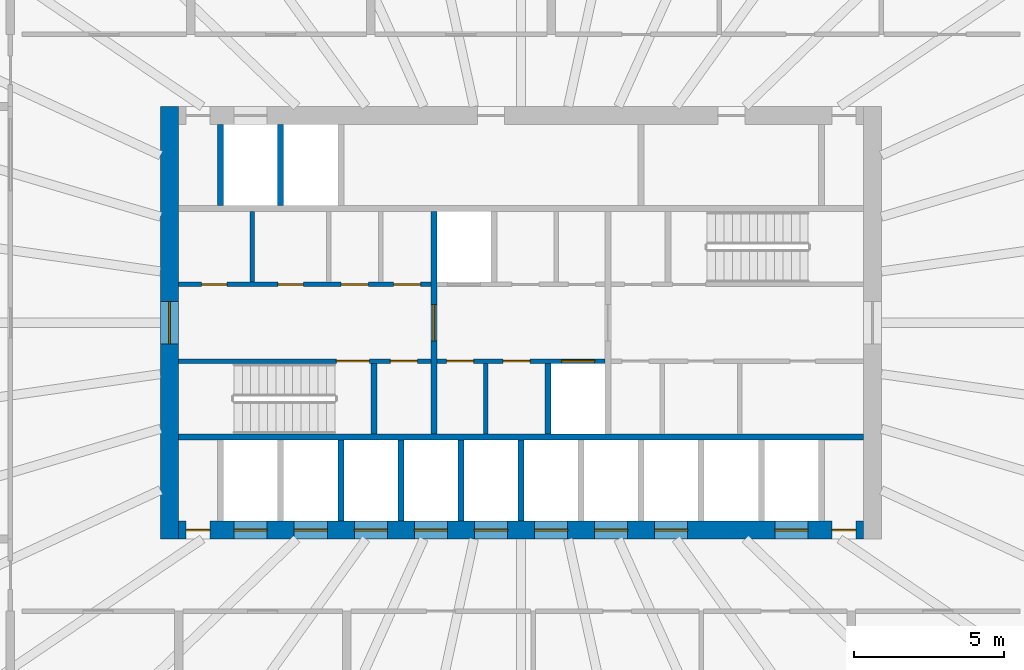
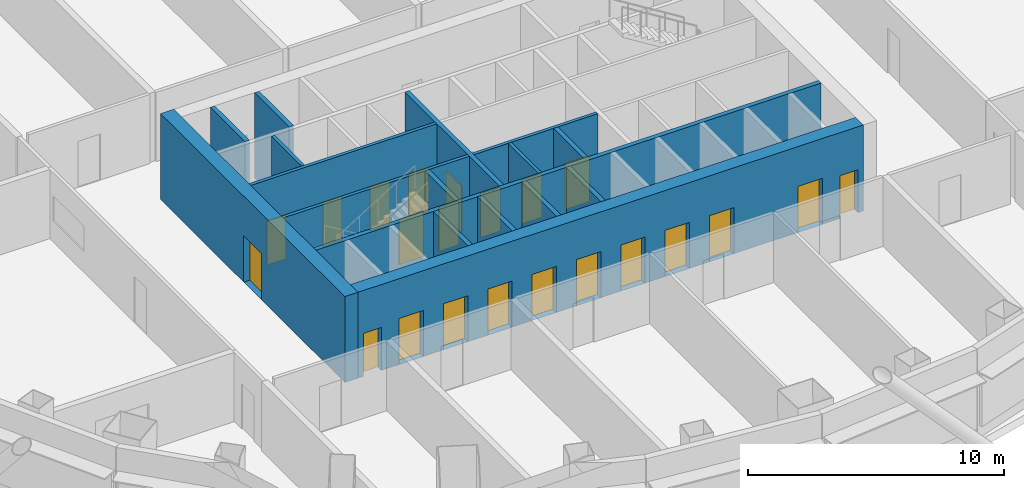
# One storey, part 4 of 14: 22 doors, 17 walls, 22 openings.
"""IFC4 building model written with IfcOpenShell, lengths in metres."""

from ifc_helpers import new_model, si_unit, direction, frame, frame_2d, origin, place, context, subcontext, project, spatial, rectangle, extrude, material, layer, layer_set, type_object, element, fill, save


model = new_model("IFC4")

# Units and contexts
model_context = context("Model", 3, precision=1e-05, world=origin(), true_north=direction((0.0, 1.0)))
body_context = subcontext(model_context, "Body", "Model", "MODEL_VIEW")
ifc_project = project(units=[si_unit("LENGTHUNIT", "METRE"), si_unit("AREAUNIT", "SQUARE_METRE"), si_unit("VOLUMEUNIT", "CUBIC_METRE"), si_unit("PLANEANGLEUNIT", "RADIAN"), si_unit("MASSUNIT", "GRAM", prefix="KILO")], contexts=[model_context])

# Site, building, storey
site_placement = place(None, origin())
site = spatial("IfcSite", under=ifc_project, at=site_placement, CompositionType="ELEMENT")
building_placement = place(site_placement, origin())
building = spatial("IfcBuilding", under=site, at=building_placement, Name="Siaravel Broadcast Tower", CompositionType="ELEMENT")
storey_placement = place(building_placement, frame((0.0, 0.0, 20.0)))
storey = spatial("IfcBuildingStorey", under=building, at=storey_placement, Name="L03", CompositionType="ELEMENT", Elevation=20.0)

# Walls
ifc_material_1 = material(Name="Concrete blockwork", Category="masonry")
ifc_layer_1 = layer(ifc_material_1, 0.14990234375)
ifc_layer_set_1 = layer_set([ifc_layer_1], Name="Concrete blockwork")
wall_type_1 = type_object("IfcWallType", Name="Core partition 150", PredefinedType="PARTITIONING", material=ifc_layer_set_1)
for number, where, z_axis, x_axis, name in (
    (1, (-8.93994140625, 1.35009765625, 0.0), (0.0, 0.0, 1.0), (0.0, 1.0, 0.0), "L03 core partition PNW0"),
    (2, (-1.172607421875, -3.699951171875, 0.0), (0.0, 0.0, 1.0), (0.0, 1.0, 0.0), "L03 core partition PSM0"),
):
    element("IfcWall", number, at=place(storey_placement, frame(where, z_axis=z_axis, x_axis=x_axis)), inside=storey, type_object=wall_type_1, Name=name, PredefinedType="PARTITIONING", context=body_context, shape_type="SweptSolid", body=[
        extrude(rectangle(XDim=2.349853515625, YDim=0.14990234375, at=frame_2d((1.1748046875, 0.0))), origin(), (0.0, 0.0, 1.0), 4.10009765625),
    ])

# Wall, opening, door
ifc_material_2 = material(Name="Concrete C60/75", Category="concrete")
ifc_layer_2 = layer(ifc_material_2, 0.60009765625)
ifc_layer_set_2 = layer_set([ifc_layer_2], Name="Concrete C60/75")
wall_type_2 = type_object("IfcWallType", Name="Core wall 600", PredefinedType="SHEAR", material=ifc_layer_set_2)
wall_1_placement = place(storey_placement, frame((-11.699951171875, -7.199951171875, 0.0), z_axis=(0.0, 0.0, 1.0), x_axis=(0.0, 1.0, 0.0)))
wall_1 = element("IfcWall", 3, at=wall_1_placement, inside=storey, type_object=wall_type_2, Name="L03 core wall OW", PredefinedType="SHEAR", context=body_context, shape_type="SweptSolid", body=[
    extrude(rectangle(XDim=14.39990234375, YDim=0.60009765625, at=frame_2d((7.199951171875, 0.0))), origin(), (0.0, 0.0, 1.0), 4.10009765625),
])
opening_1_placement = place(wall_1_placement, frame((6.5, 0.0, 0.0)))
opening_1 = element("IfcOpeningElement", 4, at=opening_1_placement, cuts=wall_1, Name="Opening L03-DX-W", PredefinedType="OPENING", context=body_context, shape_type="SweptSolid", body=[
    extrude(rectangle(XDim=1.39990234375, YDim=2.199951171875, at=frame_2d((0.699951171875, 1.10009765625))), frame((0.0, 0.31005859375, 0.0), z_axis=(0.0, -1.0, 0.0), x_axis=(1.0, 0.0, 0.0)), (0.0, 0.0, 1.0), 0.6201171875),
])
ifc_material_3 = material(Name="Steel", Category="steel")
door_type_1 = type_object("IfcDoorType", Name="Core exit door 1400", OperationType="DOUBLE_DOOR_SINGLE_SWING", PredefinedType="DOOR", material=ifc_material_3)
door_1_placement = place(opening_1_placement, origin())
door_1 = element("IfcDoor", 5, at=door_1_placement, inside=storey, type_object=door_type_1, Name="L03 door DX-W", OperationType="DOUBLE_DOOR_SINGLE_SWING", OverallHeight=2.199951171875, OverallWidth=1.39990234375, PredefinedType="DOOR", context=body_context, shape_type="SweptSolid", body=[
    extrude(rectangle(XDim=1.39990234375, YDim=2.199951171875, at=frame_2d((0.699951171875, 1.10009765625))), frame((0.0, 0.02490234375, 0.0), z_axis=(0.0, -1.0, 0.0), x_axis=(1.0, 0.0, 0.0)), (0.0, 0.0, 1.0), 0.050048828125),
])
fill(opening_1, door_1)

# Wall, openings, doors
wall_2_placement = place(storey_placement, frame((-11.39990234375, -6.89990234375, 0.0), z_axis=(0.0, 0.0, 1.0), x_axis=(1.0, 0.0, 0.0)))
wall_2 = element("IfcWall", 6, at=wall_2_placement, inside=storey, type_object=wall_type_2, Name="L03 core wall OS", PredefinedType="SHEAR", context=body_context, shape_type="SweptSolid", body=[
    extrude(rectangle(XDim=22.7998046875, YDim=0.60009765625, at=frame_2d((11.39990234375, 0.0))), origin(), (0.0, 0.0, 1.0), 4.10009765625),
])
opening_2_placement = place(wall_2_placement, frame((1.85009765625, 0.0, 0.0)))
opening_2 = element("IfcOpeningElement", 7, at=opening_2_placement, cuts=wall_2, Name="Opening LD-LP1-L03", PredefinedType="OPENING", context=body_context, shape_type="SweptSolid", body=[
    extrude(rectangle(XDim=1.10009765625, YDim=2.199951171875, at=frame_2d((0.550048828125, 1.10009765625))), frame((0.0, 0.31005859375, 0.0), z_axis=(0.0, -1.0, 0.0), x_axis=(1.0, 0.0, 0.0)), (0.0, 0.0, 1.0), 0.6201171875),
])
opening_3_placement = place(wall_2_placement, frame((3.85009765625, 0.0, 0.0)))
opening_3 = element("IfcOpeningElement", 8, at=opening_3_placement, cuts=wall_2, Name="Opening LD-LP2-L03", PredefinedType="OPENING", context=body_context, shape_type="SweptSolid", body=[
    extrude(rectangle(XDim=1.10009765625, YDim=2.199951171875, at=frame_2d((0.550048828125, 1.10009765625))), frame((0.0, 0.31005859375, 0.0), z_axis=(0.0, -1.0, 0.0), x_axis=(1.0, 0.0, 0.0)), (0.0, 0.0, 1.0), 0.6201171875),
])
opening_4_placement = place(wall_2_placement, frame((5.85009765625, 0.0, 0.0)))
opening_4 = element("IfcOpeningElement", 9, at=opening_4_placement, cuts=wall_2, Name="Opening LD-LP3-L03", PredefinedType="OPENING", context=body_context, shape_type="SweptSolid", body=[
    extrude(rectangle(XDim=1.10009765625, YDim=2.199951171875, at=frame_2d((0.550048828125, 1.10009765625))), frame((0.0, 0.31005859375, 0.0), z_axis=(0.0, -1.0, 0.0), x_axis=(1.0, 0.0, 0.0)), (0.0, 0.0, 1.0), 0.6201171875),
])
opening_5_placement = place(wall_2_placement, frame((7.85009765625, 0.0, 0.0)))
opening_5 = element("IfcOpeningElement", 10, at=opening_5_placement, cuts=wall_2, Name="Opening LD-LP4-L03", PredefinedType="OPENING", context=body_context, shape_type="SweptSolid", body=[
    extrude(rectangle(XDim=1.10009765625, YDim=2.199951171875, at=frame_2d((0.550048828125, 1.10009765625))), frame((0.0, 0.31005859375, 0.0), z_axis=(0.0, -1.0, 0.0), x_axis=(1.0, 0.0, 0.0)), (0.0, 0.0, 1.0), 0.6201171875),
])
opening_6_placement = place(wall_2_placement, frame((9.85009765625, 0.0, 0.0)))
opening_6 = element("IfcOpeningElement", 11, at=opening_6_placement, cuts=wall_2, Name="Opening LD-LP5-L03", PredefinedType="OPENING", context=body_context, shape_type="SweptSolid", body=[
    extrude(rectangle(XDim=1.10009765625, YDim=2.199951171875, at=frame_2d((0.550048828125, 1.10009765625))), frame((0.0, 0.31005859375, 0.0), z_axis=(0.0, -1.0, 0.0), x_axis=(1.0, 0.0, 0.0)), (0.0, 0.0, 1.0), 0.6201171875),
])
opening_7_placement = place(wall_2_placement, frame((11.85009765625, 0.0, 0.0)))
opening_7 = element("IfcOpeningElement", 12, at=opening_7_placement, cuts=wall_2, Name="Opening LD-LP6-L03", PredefinedType="OPENING", context=body_context, shape_type="SweptSolid", body=[
    extrude(rectangle(XDim=1.10009765625, YDim=2.199951171875, at=frame_2d((0.550048828125, 1.10009765625))), frame((0.0, 0.31005859375, 0.0), z_axis=(0.0, -1.0, 0.0), x_axis=(1.0, 0.0, 0.0)), (0.0, 0.0, 1.0), 0.6201171875),
])
opening_8_placement = place(wall_2_placement, frame((13.85009765625, 0.0, 0.0)))
opening_8 = element("IfcOpeningElement", 13, at=opening_8_placement, cuts=wall_2, Name="Opening LD-LP7-L03", PredefinedType="OPENING", context=body_context, shape_type="SweptSolid", body=[
    extrude(rectangle(XDim=1.10009765625, YDim=2.199951171875, at=frame_2d((0.550048828125, 1.10009765625))), frame((0.0, 0.31005859375, 0.0), z_axis=(0.0, -1.0, 0.0), x_axis=(1.0, 0.0, 0.0)), (0.0, 0.0, 1.0), 0.6201171875),
])
opening_9_placement = place(wall_2_placement, frame((15.85009765625, 0.0, 0.0)))
opening_9 = element("IfcOpeningElement", 14, at=opening_9_placement, cuts=wall_2, Name="Opening LD-LP8-L03", PredefinedType="OPENING", context=body_context, shape_type="SweptSolid", body=[
    extrude(rectangle(XDim=1.10009765625, YDim=2.199951171875, at=frame_2d((0.550048828125, 1.10009765625))), frame((0.0, 0.31005859375, 0.0), z_axis=(0.0, -1.0, 0.0), x_axis=(1.0, 0.0, 0.0)), (0.0, 0.0, 1.0), 0.6201171875),
])
opening_10_placement = place(wall_2_placement, frame((19.85009765625, 0.0, 0.0)))
opening_10 = element("IfcOpeningElement", 15, at=opening_10_placement, cuts=wall_2, Name="Opening LD-SV1-L03", PredefinedType="OPENING", context=body_context, shape_type="SweptSolid", body=[
    extrude(rectangle(XDim=1.10009765625, YDim=2.199951171875, at=frame_2d((0.550048828125, 1.10009765625))), frame((0.0, 0.31005859375, 0.0), z_axis=(0.0, -1.0, 0.0), x_axis=(1.0, 0.0, 0.0)), (0.0, 0.0, 1.0), 0.6201171875),
])
opening_11_placement = place(wall_2_placement, frame((0.25, 0.0, 0.0)))
opening_11 = element("IfcOpeningElement", 16, at=opening_11_placement, cuts=wall_2, Name="Opening L03-DRSW", PredefinedType="OPENING", context=body_context, shape_type="SweptSolid", body=[
    extrude(rectangle(XDim=0.800048828125, YDim=2.050048828125, at=frame_2d((0.39990234375, 1.02490234375))), frame((0.0, 0.31005859375, 0.0), z_axis=(0.0, -1.0, 0.0), x_axis=(1.0, 0.0, 0.0)), (0.0, 0.0, 1.0), 0.6201171875),
])
opening_12_placement = place(wall_2_placement, frame((21.75, 0.0, 0.0)))
opening_12 = element("IfcOpeningElement", 17, at=opening_12_placement, cuts=wall_2, Name="Opening L03-DRSE", PredefinedType="OPENING", context=body_context, shape_type="SweptSolid", body=[
    extrude(rectangle(XDim=0.800048828125, YDim=2.050048828125, at=frame_2d((0.39990234375, 1.02490234375))), frame((0.0, 0.31005859375, 0.0), z_axis=(0.0, -1.0, 0.0), x_axis=(1.0, 0.0, 0.0)), (0.0, 0.0, 1.0), 0.6201171875),
])
ifc_material_4 = material(Name="Stainless steel 316L", Category="steel")
door_type_2 = type_object("IfcDoorType", Name="Lift landing door 1100", OperationType="DOUBLE_DOOR_SLIDING", PredefinedType="DOOR", material=ifc_material_4)
door_2_placement = place(opening_2_placement, origin())
door_2 = element("IfcDoor", 18, at=door_2_placement, inside=storey, type_object=door_type_2, Name="Landing door LP1 L03", OperationType="DOUBLE_DOOR_SLIDING", OverallHeight=2.199951171875, OverallWidth=1.10009765625, PredefinedType="DOOR", context=body_context, shape_type="SweptSolid", body=[
    extrude(rectangle(XDim=1.10009765625, YDim=2.199951171875, at=frame_2d((0.550048828125, 1.10009765625))), frame((0.0, 0.02490234375, 0.0), z_axis=(0.0, -1.0, 0.0), x_axis=(1.0, 0.0, 0.0)), (0.0, 0.0, 1.0), 0.050048828125),
])
fill(opening_2, door_2)
door_3_placement = place(opening_3_placement, origin())
door_3 = element("IfcDoor", 19, at=door_3_placement, inside=storey, type_object=door_type_2, Name="Landing door LP2 L03", OperationType="DOUBLE_DOOR_SLIDING", OverallHeight=2.199951171875, OverallWidth=1.10009765625, PredefinedType="DOOR", context=body_context, shape_type="SweptSolid", body=[
    extrude(rectangle(XDim=1.10009765625, YDim=2.199951171875, at=frame_2d((0.550048828125, 1.10009765625))), frame((0.0, 0.02490234375, 0.0), z_axis=(0.0, -1.0, 0.0), x_axis=(1.0, 0.0, 0.0)), (0.0, 0.0, 1.0), 0.050048828125),
])
fill(opening_3, door_3)
door_4_placement = place(opening_4_placement, origin())
door_4 = element("IfcDoor", 20, at=door_4_placement, inside=storey, type_object=door_type_2, Name="Landing door LP3 L03", OperationType="DOUBLE_DOOR_SLIDING", OverallHeight=2.199951171875, OverallWidth=1.10009765625, PredefinedType="DOOR", context=body_context, shape_type="SweptSolid", body=[
    extrude(rectangle(XDim=1.10009765625, YDim=2.199951171875, at=frame_2d((0.550048828125, 1.10009765625))), frame((0.0, 0.02490234375, 0.0), z_axis=(0.0, -1.0, 0.0), x_axis=(1.0, 0.0, 0.0)), (0.0, 0.0, 1.0), 0.050048828125),
])
fill(opening_4, door_4)
door_5_placement = place(opening_5_placement, origin())
door_5 = element("IfcDoor", 21, at=door_5_placement, inside=storey, type_object=door_type_2, Name="Landing door LP4 L03", OperationType="DOUBLE_DOOR_SLIDING", OverallHeight=2.199951171875, OverallWidth=1.10009765625, PredefinedType="DOOR", context=body_context, shape_type="SweptSolid", body=[
    extrude(rectangle(XDim=1.10009765625, YDim=2.199951171875, at=frame_2d((0.550048828125, 1.10009765625))), frame((0.0, 0.02490234375, 0.0), z_axis=(0.0, -1.0, 0.0), x_axis=(1.0, 0.0, 0.0)), (0.0, 0.0, 1.0), 0.050048828125),
])
fill(opening_5, door_5)
door_6_placement = place(opening_6_placement, origin())
door_6 = element("IfcDoor", 22, at=door_6_placement, inside=storey, type_object=door_type_2, Name="Landing door LP5 L03", OperationType="DOUBLE_DOOR_SLIDING", OverallHeight=2.199951171875, OverallWidth=1.10009765625, PredefinedType="DOOR", context=body_context, shape_type="SweptSolid", body=[
    extrude(rectangle(XDim=1.10009765625, YDim=2.199951171875, at=frame_2d((0.550048828125, 1.10009765625))), frame((0.0, 0.02490234375, 0.0), z_axis=(0.0, -1.0, 0.0), x_axis=(1.0, 0.0, 0.0)), (0.0, 0.0, 1.0), 0.050048828125),
])
fill(opening_6, door_6)
door_7_placement = place(opening_7_placement, origin())
door_7 = element("IfcDoor", 23, at=door_7_placement, inside=storey, type_object=door_type_2, Name="Landing door LP6 L03", OperationType="DOUBLE_DOOR_SLIDING", OverallHeight=2.199951171875, OverallWidth=1.10009765625, PredefinedType="DOOR", context=body_context, shape_type="SweptSolid", body=[
    extrude(rectangle(XDim=1.10009765625, YDim=2.199951171875, at=frame_2d((0.550048828125, 1.10009765625))), frame((0.0, 0.02490234375, 0.0), z_axis=(0.0, -1.0, 0.0), x_axis=(1.0, 0.0, 0.0)), (0.0, 0.0, 1.0), 0.050048828125),
])
fill(opening_7, door_7)
door_8_placement = place(opening_8_placement, origin())
door_8 = element("IfcDoor", 24, at=door_8_placement, inside=storey, type_object=door_type_2, Name="Landing door LP7 L03", OperationType="DOUBLE_DOOR_SLIDING", OverallHeight=2.199951171875, OverallWidth=1.10009765625, PredefinedType="DOOR", context=body_context, shape_type="SweptSolid", body=[
    extrude(rectangle(XDim=1.10009765625, YDim=2.199951171875, at=frame_2d((0.550048828125, 1.10009765625))), frame((0.0, 0.02490234375, 0.0), z_axis=(0.0, -1.0, 0.0), x_axis=(1.0, 0.0, 0.0)), (0.0, 0.0, 1.0), 0.050048828125),
])
fill(opening_8, door_8)
door_9_placement = place(opening_9_placement, origin())
door_9 = element("IfcDoor", 25, at=door_9_placement, inside=storey, type_object=door_type_2, Name="Landing door LP8 L03", OperationType="DOUBLE_DOOR_SLIDING", OverallHeight=2.199951171875, OverallWidth=1.10009765625, PredefinedType="DOOR", context=body_context, shape_type="SweptSolid", body=[
    extrude(rectangle(XDim=1.10009765625, YDim=2.199951171875, at=frame_2d((0.550048828125, 1.10009765625))), frame((0.0, 0.02490234375, 0.0), z_axis=(0.0, -1.0, 0.0), x_axis=(1.0, 0.0, 0.0)), (0.0, 0.0, 1.0), 0.050048828125),
])
fill(opening_9, door_9)
door_type_3 = type_object("IfcDoorType", Name="Riser door 800", OperationType="SINGLE_SWING_LEFT", PredefinedType="DOOR", material=ifc_material_3)
door_10_placement = place(opening_11_placement, origin())
door_10 = element("IfcDoor", 26, at=door_10_placement, inside=storey, type_object=door_type_3, Name="L03 door DRSW", OperationType="SINGLE_SWING_LEFT", OverallHeight=2.050048828125, OverallWidth=0.800048828125, PredefinedType="DOOR", context=body_context, shape_type="SweptSolid", body=[
    extrude(rectangle(XDim=0.800048828125, YDim=2.050048828125, at=frame_2d((0.39990234375, 1.02490234375))), frame((0.0, 0.02490234375, 0.0), z_axis=(0.0, -1.0, 0.0), x_axis=(1.0, 0.0, 0.0)), (0.0, 0.0, 1.0), 0.050048828125),
])
fill(opening_11, door_10)
door_11_placement = place(opening_12_placement, origin())
door_11 = element("IfcDoor", 27, at=door_11_placement, inside=storey, type_object=door_type_3, Name="L03 door DRSE", OperationType="SINGLE_SWING_LEFT", OverallHeight=2.050048828125, OverallWidth=0.800048828125, PredefinedType="DOOR", context=body_context, shape_type="SweptSolid", body=[
    extrude(rectangle(XDim=0.800048828125, YDim=2.050048828125, at=frame_2d((0.39990234375, 1.02490234375))), frame((0.0, 0.02490234375, 0.0), z_axis=(0.0, -1.0, 0.0), x_axis=(1.0, 0.0, 0.0)), (0.0, 0.0, 1.0), 0.050048828125),
])
fill(opening_12, door_11)
door_type_4 = type_object("IfcDoorType", Name="Service lift landing door 1100", OperationType="DOUBLE_DOOR_SLIDING", PredefinedType="DOOR", material=ifc_material_4)
door_12_placement = place(opening_10_placement, origin())
door_12 = element("IfcDoor", 28, at=door_12_placement, inside=storey, type_object=door_type_4, Name="Landing door SV1 L03", OperationType="DOUBLE_DOOR_SLIDING", OverallHeight=2.199951171875, OverallWidth=1.10009765625, PredefinedType="DOOR", context=body_context, shape_type="SweptSolid", body=[
    extrude(rectangle(XDim=1.10009765625, YDim=2.199951171875, at=frame_2d((0.550048828125, 1.10009765625))), frame((0.0, 0.02490234375, 0.0), z_axis=(0.0, -1.0, 0.0), x_axis=(1.0, 0.0, 0.0)), (0.0, 0.0, 1.0), 0.050048828125),
])
fill(opening_10, door_12)

ifc_material_5 = material(Name="Gypsum board partition", Category="gypsum")
ifc_layer_3 = layer(ifc_material_5, 0.14990234375)
ifc_layer_set_3 = layer_set([ifc_layer_3], Name="Gypsum board partition")
wall_type_3 = type_object("IfcWallType", Name="Corridor wall 150", PredefinedType="PARTITIONING", material=ifc_layer_set_3)
wall_3_placement = place(storey_placement, frame((-11.39990234375, 1.27490234375, 0.0), z_axis=(0.0, 0.0, 1.0), x_axis=(1.0, 0.0, 0.0)))
wall_3 = element("IfcWall", 29, at=wall_3_placement, inside=storey, type_object=wall_type_3, Name="L03 core partition CNW", PredefinedType="PARTITIONING", context=body_context, shape_type="SweptSolid", body=[
    extrude(rectangle(XDim=8.39990234375, YDim=0.14990234375, at=frame_2d((4.199951171875, 0.0))), origin(), (0.0, 0.0, 1.0), 4.10009765625),
])
opening_13_placement = place(wall_3_placement, frame((0.767578125, 0.0, 0.0)))
opening_13 = element("IfcOpeningElement", 30, at=opening_13_placement, cuts=wall_3, Name="Opening L03-DNW0", PredefinedType="OPENING", context=body_context, shape_type="SweptSolid", body=[
    extrude(rectangle(XDim=0.85009765625, YDim=2.10009765625, at=frame_2d((0.425048828125, 1.050048828125))), frame((0.0, 0.0849609375, 0.0), z_axis=(0.0, -1.0, 0.0), x_axis=(1.0, 0.0, 0.0)), (0.0, 0.0, 1.0), 0.169921875),
])
opening_14_placement = place(wall_3_placement, frame((3.302490234375, 0.0, 0.0)))
opening_14 = element("IfcOpeningElement", 31, at=opening_14_placement, cuts=wall_3, Name="Opening L03-DNW1", PredefinedType="OPENING", context=body_context, shape_type="SweptSolid", body=[
    extrude(rectangle(XDim=0.85009765625, YDim=2.10009765625, at=frame_2d((0.425048828125, 1.050048828125))), frame((0.0, 0.0849609375, 0.0), z_axis=(0.0, -1.0, 0.0), x_axis=(1.0, 0.0, 0.0)), (0.0, 0.0, 1.0), 0.169921875),
])
opening_15_placement = place(wall_3_placement, frame((5.4150390625, 0.0, 0.0)))
opening_15 = element("IfcOpeningElement", 32, at=opening_15_placement, cuts=wall_3, Name="Opening L03-DNW2", PredefinedType="OPENING", context=body_context, shape_type="SweptSolid", body=[
    extrude(rectangle(XDim=0.89990234375, YDim=2.10009765625, at=frame_2d((0.449951171875, 1.050048828125))), frame((0.0, 0.0849609375, 0.0), z_axis=(0.0, -1.0, 0.0), x_axis=(1.0, 0.0, 0.0)), (0.0, 0.0, 1.0), 0.169921875),
])
opening_16_placement = place(wall_3_placement, frame((7.155029296875, 0.0, 0.0)))
opening_16 = element("IfcOpeningElement", 33, at=opening_16_placement, cuts=wall_3, Name="Opening L03-DNW3", PredefinedType="OPENING", context=body_context, shape_type="SweptSolid", body=[
    extrude(rectangle(XDim=0.89990234375, YDim=2.10009765625, at=frame_2d((0.449951171875, 1.050048828125))), frame((0.0, 0.0849609375, 0.0), z_axis=(0.0, -1.0, 0.0), x_axis=(1.0, 0.0, 0.0)), (0.0, 0.0, 1.0), 0.169921875),
])
ifc_material_6 = material(Name="Timber veneer", Category="wood")
door_type_5 = type_object("IfcDoorType", Name="Core room door 900", OperationType="SINGLE_SWING_LEFT", PredefinedType="DOOR", material=ifc_material_6)
door_13_placement = place(opening_15_placement, origin())
door_13 = element("IfcDoor", 34, at=door_13_placement, inside=storey, type_object=door_type_5, Name="L03 door DNW2", OperationType="SINGLE_SWING_LEFT", OverallHeight=2.10009765625, OverallWidth=0.89990234375, PredefinedType="DOOR", context=body_context, shape_type="SweptSolid", body=[
    extrude(rectangle(XDim=0.89990234375, YDim=2.10009765625, at=frame_2d((0.449951171875, 1.050048828125))), frame((0.0, 0.02490234375, 0.0), z_axis=(0.0, -1.0, 0.0), x_axis=(1.0, 0.0, 0.0)), (0.0, 0.0, 1.0), 0.050048828125),
])
fill(opening_15, door_13)
door_14_placement = place(opening_16_placement, origin())
door_14 = element("IfcDoor", 35, at=door_14_placement, inside=storey, type_object=door_type_5, Name="L03 door DNW3", OperationType="SINGLE_SWING_LEFT", OverallHeight=2.10009765625, OverallWidth=0.89990234375, PredefinedType="DOOR", context=body_context, shape_type="SweptSolid", body=[
    extrude(rectangle(XDim=0.89990234375, YDim=2.10009765625, at=frame_2d((0.449951171875, 1.050048828125))), frame((0.0, 0.02490234375, 0.0), z_axis=(0.0, -1.0, 0.0), x_axis=(1.0, 0.0, 0.0)), (0.0, 0.0, 1.0), 0.050048828125),
])
fill(opening_16, door_14)
door_type_6 = type_object("IfcDoorType", Name="Core toilet door 850", OperationType="SINGLE_SWING_LEFT", PredefinedType="DOOR", material=ifc_material_6)
door_15_placement = place(opening_13_placement, origin())
door_15 = element("IfcDoor", 36, at=door_15_placement, inside=storey, type_object=door_type_6, Name="L03 door DNW0", OperationType="SINGLE_SWING_LEFT", OverallHeight=2.10009765625, OverallWidth=0.85009765625, PredefinedType="DOOR", context=body_context, shape_type="SweptSolid", body=[
    extrude(rectangle(XDim=0.85009765625, YDim=2.10009765625, at=frame_2d((0.425048828125, 1.050048828125))), frame((0.0, 0.02490234375, 0.0), z_axis=(0.0, -1.0, 0.0), x_axis=(1.0, 0.0, 0.0)), (0.0, 0.0, 1.0), 0.050048828125),
])
fill(opening_13, door_15)
door_16_placement = place(opening_14_placement, origin())
door_16 = element("IfcDoor", 37, at=door_16_placement, inside=storey, type_object=door_type_6, Name="L03 door DNW1", OperationType="SINGLE_SWING_LEFT", OverallHeight=2.10009765625, OverallWidth=0.85009765625, PredefinedType="DOOR", context=body_context, shape_type="SweptSolid", body=[
    extrude(rectangle(XDim=0.85009765625, YDim=2.10009765625, at=frame_2d((0.425048828125, 1.050048828125))), frame((0.0, 0.02490234375, 0.0), z_axis=(0.0, -1.0, 0.0), x_axis=(1.0, 0.0, 0.0)), (0.0, 0.0, 1.0), 0.050048828125),
])
fill(opening_14, door_16)

ifc_layer_4 = layer(ifc_material_2, 0.14990234375)
ifc_layer_set_4 = layer_set([ifc_layer_4], Name="Concrete C60/75")
wall_type_4 = type_object("IfcWallType", Name="Shaft wall 150", PredefinedType="SHEAR", material=ifc_layer_set_4)
wall_4_placement = place(storey_placement, frame((-11.39990234375, -1.27490234375, 0.0), z_axis=(0.0, 0.0, 1.0), x_axis=(1.0, 0.0, 0.0)))
wall_4 = element("IfcWall", 38, at=wall_4_placement, inside=storey, type_object=wall_type_4, Name="L03 core wall CSW", PredefinedType="SHEAR", context=body_context, shape_type="SweptSolid", body=[
    extrude(rectangle(XDim=8.39990234375, YDim=0.14990234375, at=frame_2d((4.199951171875, 0.0))), origin(), (0.0, 0.0, 1.0), 4.10009765625),
])
opening_17_placement = place(wall_4_placement, frame((5.25, 0.0, 0.0)))
opening_17 = element("IfcOpeningElement", 39, at=opening_17_placement, cuts=wall_4, Name="Opening L03-DS-1", PredefinedType="OPENING", context=body_context, shape_type="SweptSolid", body=[
    extrude(rectangle(XDim=1.10009765625, YDim=2.14990234375, at=frame_2d((0.550048828125, 1.074951171875))), frame((0.0, 0.0849609375, 0.0), z_axis=(0.0, -1.0, 0.0), x_axis=(1.0, 0.0, 0.0)), (0.0, 0.0, 1.0), 0.169921875),
])
opening_18_placement = place(wall_4_placement, frame((7.050048828125, 0.0, 0.0)))
opening_18 = element("IfcOpeningElement", 40, at=opening_18_placement, cuts=wall_4, Name="Opening L03-DSW0", PredefinedType="OPENING", context=body_context, shape_type="SweptSolid", body=[
    extrude(rectangle(XDim=0.89990234375, YDim=2.10009765625, at=frame_2d((0.449951171875, 1.050048828125))), frame((0.0, 0.0849609375, 0.0), z_axis=(0.0, -1.0, 0.0), x_axis=(1.0, 0.0, 0.0)), (0.0, 0.0, 1.0), 0.169921875),
])
door_17_placement = place(opening_18_placement, origin())
door_17 = element("IfcDoor", 41, at=door_17_placement, inside=storey, type_object=door_type_5, Name="L03 door DSW0", OperationType="SINGLE_SWING_LEFT", OverallHeight=2.10009765625, OverallWidth=0.89990234375, PredefinedType="DOOR", context=body_context, shape_type="SweptSolid", body=[
    extrude(rectangle(XDim=0.89990234375, YDim=2.10009765625, at=frame_2d((0.449951171875, 1.050048828125))), frame((0.0, 0.02490234375, 0.0), z_axis=(0.0, -1.0, 0.0), x_axis=(1.0, 0.0, 0.0)), (0.0, 0.0, 1.0), 0.050048828125),
])
fill(opening_18, door_17)
door_type_7 = type_object("IfcDoorType", Name="Stair door 1100", OperationType="SINGLE_SWING_LEFT", PredefinedType="DOOR", material=ifc_material_3)
door_18_placement = place(opening_17_placement, origin())
door_18 = element("IfcDoor", 42, at=door_18_placement, inside=storey, type_object=door_type_7, Name="L03 door DS-1", OperationType="SINGLE_SWING_LEFT", OverallHeight=2.14990234375, OverallWidth=1.10009765625, PredefinedType="DOOR", context=body_context, shape_type="SweptSolid", body=[
    extrude(rectangle(XDim=1.10009765625, YDim=2.14990234375, at=frame_2d((0.550048828125, 1.074951171875))), frame((0.0, 0.02490234375, 0.0), z_axis=(0.0, -1.0, 0.0), x_axis=(1.0, 0.0, 0.0)), (0.0, 0.0, 1.0), 0.050048828125),
])
fill(opening_17, door_18)

wall_5_placement = place(storey_placement, frame((-2.800048828125, -1.27490234375, 0.0), z_axis=(0.0, 0.0, 1.0), x_axis=(1.0, 0.0, 0.0)))
wall_5 = element("IfcWall", 43, at=wall_5_placement, inside=storey, type_object=wall_type_4, Name="L03 core wall CSM", PredefinedType="SHEAR", context=body_context, shape_type="SweptSolid", body=[
    extrude(rectangle(XDim=5.60009765625, YDim=0.14990234375, at=frame_2d((2.800048828125, 0.0))), origin(), (0.0, 0.0, 1.0), 4.10009765625),
])
opening_19_placement = place(wall_5_placement, frame((4.14990234375, 0.0, 0.0)))
opening_19 = element("IfcOpeningElement", 44, at=opening_19_placement, cuts=wall_5, Name="Opening LD-FL2-L03", PredefinedType="OPENING", context=body_context, shape_type="SweptSolid", body=[
    extrude(rectangle(XDim=1.10009765625, YDim=2.199951171875, at=frame_2d((0.550048828125, 1.10009765625))), frame((0.0, 0.0849609375, 0.0), z_axis=(0.0, -1.0, 0.0), x_axis=(1.0, 0.0, 0.0)), (0.0, 0.0, 1.0), 0.169921875),
])
opening_20_placement = place(wall_5_placement, frame((0.326416015625, 0.0, 0.0)))
opening_20 = element("IfcOpeningElement", 45, at=opening_20_placement, cuts=wall_5, Name="Opening L03-DSM0", PredefinedType="OPENING", context=body_context, shape_type="SweptSolid", body=[
    extrude(rectangle(XDim=0.89990234375, YDim=2.10009765625, at=frame_2d((0.449951171875, 1.050048828125))), frame((0.0, 0.0849609375, 0.0), z_axis=(0.0, -1.0, 0.0), x_axis=(1.0, 0.0, 0.0)), (0.0, 0.0, 1.0), 0.169921875),
])
opening_21_placement = place(wall_5_placement, frame((2.201416015625, 0.0, 0.0)))
opening_21 = element("IfcOpeningElement", 46, at=opening_21_placement, cuts=wall_5, Name="Opening L03-DSM1", PredefinedType="OPENING", context=body_context, shape_type="SweptSolid", body=[
    extrude(rectangle(XDim=0.89990234375, YDim=2.10009765625, at=frame_2d((0.449951171875, 1.050048828125))), frame((0.0, 0.0849609375, 0.0), z_axis=(0.0, -1.0, 0.0), x_axis=(1.0, 0.0, 0.0)), (0.0, 0.0, 1.0), 0.169921875),
])
door_19_placement = place(opening_20_placement, origin())
door_19 = element("IfcDoor", 47, at=door_19_placement, inside=storey, type_object=door_type_5, Name="L03 door DSM0", OperationType="SINGLE_SWING_LEFT", OverallHeight=2.10009765625, OverallWidth=0.89990234375, PredefinedType="DOOR", context=body_context, shape_type="SweptSolid", body=[
    extrude(rectangle(XDim=0.89990234375, YDim=2.10009765625, at=frame_2d((0.449951171875, 1.050048828125))), frame((0.0, 0.02490234375, 0.0), z_axis=(0.0, -1.0, 0.0), x_axis=(1.0, 0.0, 0.0)), (0.0, 0.0, 1.0), 0.050048828125),
])
fill(opening_20, door_19)
door_20_placement = place(opening_21_placement, origin())
door_20 = element("IfcDoor", 48, at=door_20_placement, inside=storey, type_object=door_type_5, Name="L03 door DSM1", OperationType="SINGLE_SWING_LEFT", OverallHeight=2.10009765625, OverallWidth=0.89990234375, PredefinedType="DOOR", context=body_context, shape_type="SweptSolid", body=[
    extrude(rectangle(XDim=0.89990234375, YDim=2.10009765625, at=frame_2d((0.449951171875, 1.050048828125))), frame((0.0, 0.02490234375, 0.0), z_axis=(0.0, -1.0, 0.0), x_axis=(1.0, 0.0, 0.0)), (0.0, 0.0, 1.0), 0.050048828125),
])
fill(opening_21, door_20)
door_type_8 = type_object("IfcDoorType", Name="Firefighting lift landing door 1100", OperationType="DOUBLE_DOOR_SLIDING", PredefinedType="DOOR", material=ifc_material_4)
door_21_placement = place(opening_19_placement, origin())
door_21 = element("IfcDoor", 49, at=door_21_placement, inside=storey, type_object=door_type_8, Name="Landing door FL2 L03", OperationType="DOUBLE_DOOR_SLIDING", OverallHeight=2.199951171875, OverallWidth=1.10009765625, PredefinedType="DOOR", context=body_context, shape_type="SweptSolid", body=[
    extrude(rectangle(XDim=1.10009765625, YDim=2.199951171875, at=frame_2d((0.550048828125, 1.10009765625))), frame((0.0, 0.02490234375, 0.0), z_axis=(0.0, -1.0, 0.0), x_axis=(1.0, 0.0, 0.0)), (0.0, 0.0, 1.0), 0.050048828125),
])
fill(opening_19, door_21)

# Walls
ifc_layer_5 = layer(ifc_material_2, 0.199951171875)
ifc_layer_set_5 = layer_set([ifc_layer_5], Name="Concrete C60/75")
wall_type_5 = type_object("IfcWallType", Name="Shaft wall 200", PredefinedType="SHEAR", material=ifc_layer_set_5)
wall_6_placement = place(storey_placement, frame((-11.39990234375, -3.800048828125, 0.0), z_axis=(0.0, 0.0, 1.0), x_axis=(1.0, 0.0, 0.0)))
element("IfcWall", 50, at=wall_6_placement, inside=storey, type_object=wall_type_5, Name="L03 core wall BS", PredefinedType="SHEAR", context=body_context, shape_type="SweptSolid", body=[
    extrude(rectangle(XDim=22.7998046875, YDim=0.199951171875, at=frame_2d((11.39990234375, 0.0))), origin(), (0.0, 0.0, 1.0), 4.10009765625),
])
for number, where, z_axis, x_axis, name in (
    (51, (-6.0, -6.60009765625, 0.0), (0.0, 0.0, 1.0), (0.0, 1.0, 0.0), "L03 core wall SWS2"),
    (52, (-4.0, -6.60009765625, 0.0), (0.0, 0.0, 1.0), (0.0, 1.0, 0.0), "L03 core wall SWS3"),
    (53, (-2.0, -6.60009765625, 0.0), (0.0, 0.0, 1.0), (0.0, 1.0, 0.0), "L03 core wall SWS4"),
    (54, (0.0, -6.60009765625, 0.0), (0.0, 0.0, 1.0), (0.0, 1.0, 0.0), "L03 core wall SWS5"),
    (55, (-10.0, 3.89990234375, 0.0), (0.0, 0.0, 1.0), (0.0, 1.0, 0.0), "L03 core wall SWN0"),
    (56, (-8.0, 3.89990234375, 0.0), (0.0, 0.0, 1.0), (0.0, 1.0, 0.0), "L03 core wall SWN1"),
):
    element("IfcWall", number, at=place(storey_placement, frame(where, z_axis=z_axis, x_axis=x_axis)), inside=storey, type_object=wall_type_5, Name=name, PredefinedType="SHEAR", context=body_context, shape_type="SweptSolid", body=[
        extrude(rectangle(XDim=2.7001953125, YDim=0.199951171875, at=frame_2d((1.35009765625, 0.0))), origin(), (0.0, 0.0, 1.0), 4.10009765625),
    ])

# Wall, opening, door
wall_7_placement = place(storey_placement, frame((-2.89990234375, -3.699951171875, 0.0), z_axis=(0.0, 0.0, 1.0), x_axis=(0.0, 1.0, 0.0)))
wall_7 = element("IfcWall", 57, at=wall_7_placement, inside=storey, type_object=wall_type_5, Name="L03 core wall LW", PredefinedType="SHEAR", context=body_context, shape_type="SweptSolid", body=[
    extrude(rectangle(XDim=7.39990234375, YDim=0.199951171875, at=frame_2d((3.699951171875, 0.0))), origin(), (0.0, 0.0, 1.0), 4.10009765625),
])
opening_22_placement = place(wall_7_placement, frame((3.10009765625, 0.0, 0.0)))
opening_22 = element("IfcOpeningElement", 58, at=opening_22_placement, cuts=wall_7, Name="Opening L03-DL-W", PredefinedType="OPENING", context=body_context, shape_type="SweptSolid", body=[
    extrude(rectangle(XDim=1.199951171875, YDim=2.199951171875, at=frame_2d((0.60009765625, 1.10009765625))), frame((0.0, 0.10986328125, 0.0), z_axis=(0.0, -1.0, 0.0), x_axis=(1.0, 0.0, 0.0)), (0.0, 0.0, 1.0), 0.219970703125),
])
door_type_9 = type_object("IfcDoorType", Name="Firefighting lobby door 1200", OperationType="SINGLE_SWING_LEFT", PredefinedType="DOOR", material=ifc_material_3)
door_22_placement = place(opening_22_placement, origin())
door_22 = element("IfcDoor", 59, at=door_22_placement, inside=storey, type_object=door_type_9, Name="L03 door DL-W", OperationType="SINGLE_SWING_LEFT", OverallHeight=2.199951171875, OverallWidth=1.199951171875, PredefinedType="DOOR", context=body_context, shape_type="SweptSolid", body=[
    extrude(rectangle(XDim=1.199951171875, YDim=2.199951171875, at=frame_2d((0.60009765625, 1.10009765625))), frame((0.0, 0.02490234375, 0.0), z_axis=(0.0, -1.0, 0.0), x_axis=(1.0, 0.0, 0.0)), (0.0, 0.0, 1.0), 0.050048828125),
])
fill(opening_22, door_22)

# Walls
for number, where, z_axis, x_axis, name in (
    (60, (0.89990234375, -3.699951171875, 0.0), (0.0, 0.0, 1.0), (0.0, 1.0, 0.0), "L03 core wall FF2W"),
    (61, (-4.89990234375, -3.699951171875, 0.0), (0.0, 0.0, 1.0), (0.0, 1.0, 0.0), "L03 core wall ST1E"),
):
    element("IfcWall", number, at=place(storey_placement, frame(where, z_axis=z_axis, x_axis=x_axis)), inside=storey, type_object=wall_type_5, Name=name, PredefinedType="SHEAR", context=body_context, shape_type="SweptSolid", body=[
        extrude(rectangle(XDim=2.349853515625, YDim=0.199951171875, at=frame_2d((1.1748046875, 0.0))), origin(), (0.0, 0.0, 1.0), 4.10009765625),
    ])

save(model, "model.ifc")
